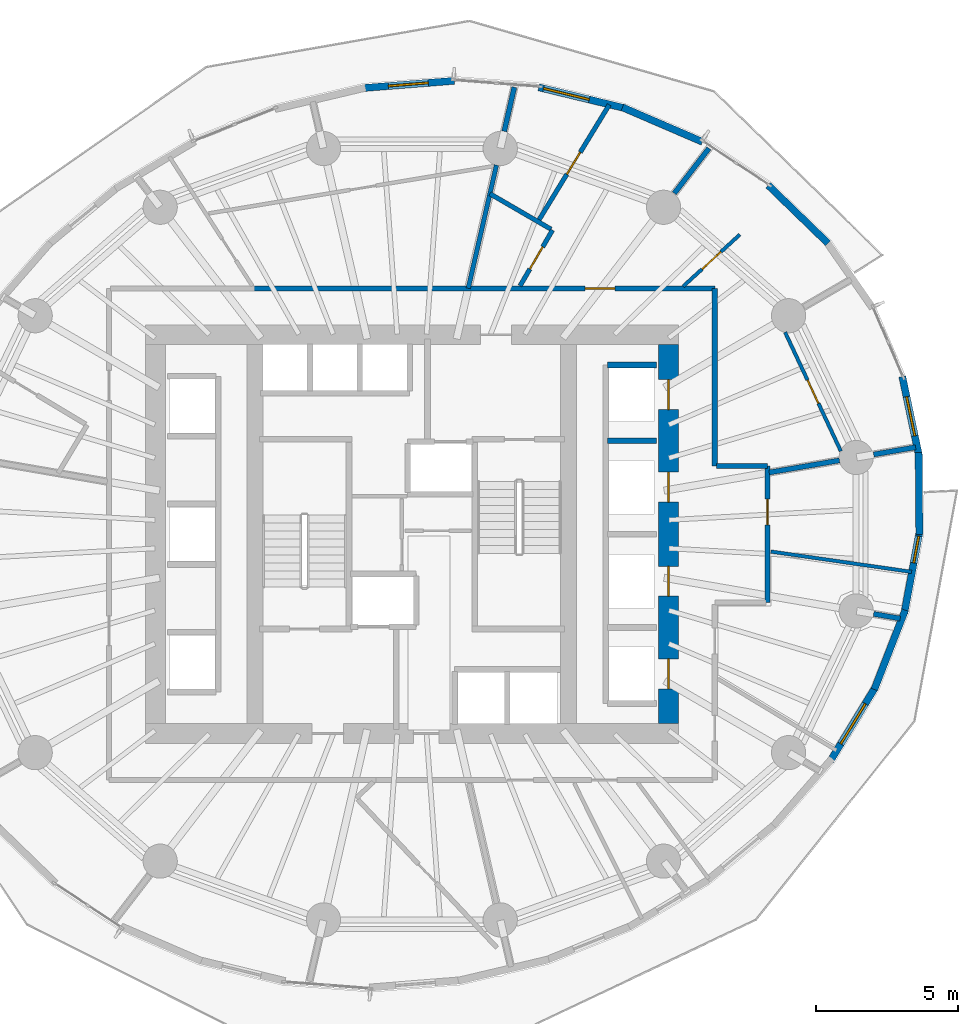
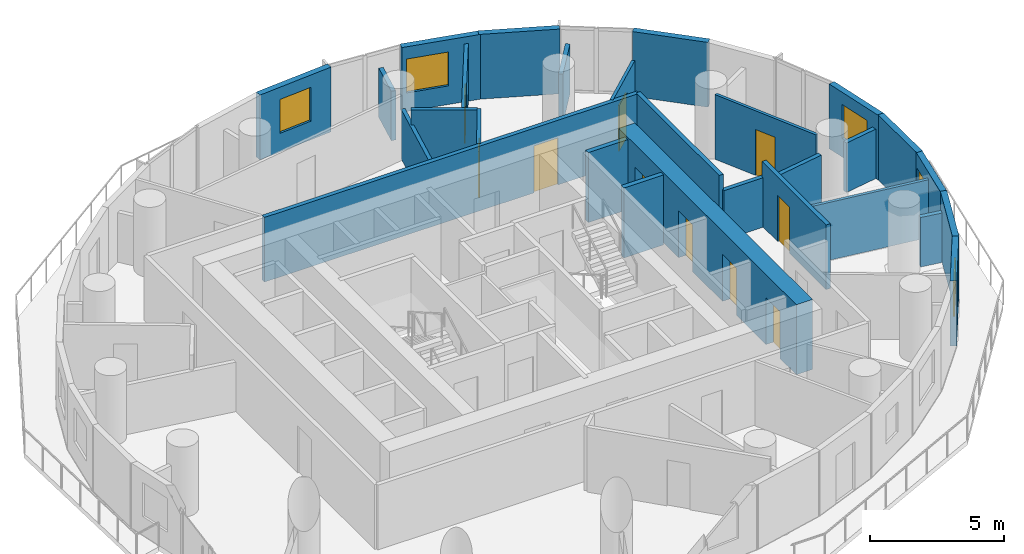
# One storey, part 9 of 14: 28 walls, 10 doors, 5 windows, 15 openings.
"""IFC4 building model written with IfcOpenShell, lengths in metres."""

from ifc_helpers import new_model, si_unit, direction, frame, frame_2d, origin, place, context, subcontext, project, spatial, rectangle, extrude, material, layer, layer_set, type_object, element, fill, save


model = new_model("IFC4")

# Units and contexts
model_context = context("Model", 3, precision=1e-05, world=origin(), true_north=direction((0.0, 1.0)))
body_context = subcontext(model_context, "Body", "Model", "MODEL_VIEW")
ifc_project = project(units=[si_unit("LENGTHUNIT", "METRE"), si_unit("AREAUNIT", "SQUARE_METRE"), si_unit("VOLUMEUNIT", "CUBIC_METRE"), si_unit("PLANEANGLEUNIT", "RADIAN"), si_unit("MASSUNIT", "GRAM", prefix="KILO")], contexts=[model_context])

# Site, building, storey
site_placement = place(None, origin())
site = spatial("IfcSite", under=ifc_project, at=site_placement, CompositionType="ELEMENT")
building_placement = place(site_placement, origin())
building = spatial("IfcBuilding", under=site, at=building_placement, Name="Veldorim Arch Residences", CompositionType="ELEMENT")
storey_placement = place(building_placement, frame((0.0, 0.0, 77.280029296875)))
storey = spatial("IfcBuildingStorey", under=building, at=storey_placement, Name="L22", CompositionType="ELEMENT", Elevation=77.280029296875)

# Wall
ifc_material_1 = material(Name="Acoustic Gypsum Board", Category="gypsum")
ifc_layer_1 = layer(ifc_material_1, 0.125, Name="Acoustic Stud Room Partition Wall 125")
ifc_layer_set_1 = layer_set([ifc_layer_1], Name="Acoustic Gypsum Board")
wall_type_1 = type_object("IfcWallType", Name="Acoustic Stud Room Partition Wall 125", PredefinedType="PARTITIONING", material=ifc_layer_set_1)
wall_1_placement = place(storey_placement, frame((49.53955078125, 22.676513671875, 0.0), z_axis=(0.0, 0.0, 1.0), x_axis=(-0.989708433574, 0.143098625124, 0.0)))
element("IfcWall", 1, at=wall_1_placement, inside=storey, type_object=wall_type_1, Name="L22 interior wall WL-RES-L22-011", PredefinedType="PARTITIONING", context=body_context, shape_type="SweptSolid", body=[
    extrude(rectangle(XDim=4.991943359375, YDim=0.125, at=frame_2d((2.49609375, 0.0))), origin(), (0.0, 0.0, 1.0), 2.641357421875),
])

# Wall, opening, door
wall_2_placement = place(storey_placement, frame((43.510986328125, 34.51611328125, 0.0), z_axis=(0.0, 0.0, 1.0), x_axis=(-0.738303163636, -0.674469004896, 0.0)))
wall_2 = element("IfcWall", 2, at=wall_2_placement, inside=storey, type_object=wall_type_1, Name="L22 interior wall WL-RES-L22-018", PredefinedType="PARTITIONING", context=body_context, shape_type="SweptSolid", body=[
    extrude(rectangle(XDim=2.6962890625, YDim=0.125, at=frame_2d((1.34814453125, 0.0))), origin(), (0.0, 0.0, 1.0), 2.955078125),
])
opening_1_placement = place(wall_2_placement, frame((0.898193359375, 0.0, 0.0)))
opening_1 = element("IfcOpeningElement", 3, at=opening_1_placement, cuts=wall_2, Name="Opening DR-INT", PredefinedType="OPENING", context=body_context, shape_type="SweptSolid", body=[
    extrude(rectangle(XDim=0.89990234375, YDim=2.10009765625, at=frame_2d((0.449951171875, 1.050048828125))), frame((0.0, 0.072509765625, 0.0), z_axis=(0.0, -1.0, 0.0), x_axis=(1.0, 0.0, 0.0)), (0.0, 0.0, 1.0), 0.14501953125),
])
ifc_material_2 = material(Name="Engineered Timber", Category="wood")
door_type_1 = type_object("IfcDoorType", Name="Apartment Internal Room Timber Door 900x2100", OperationType="SINGLE_SWING_LEFT", PredefinedType="DOOR", material=ifc_material_2)
door_1_placement = place(opening_1_placement, origin())
door_1 = element("IfcDoor", 4, at=door_1_placement, inside=storey, type_object=door_type_1, Name="L22 interior door DR-RES-L22-008", OperationType="SINGLE_SWING_RIGHT", OverallHeight=2.10009765625, OverallWidth=0.89990234375, PredefinedType="DOOR", context=body_context, shape_type="SweptSolid", body=[
    extrude(rectangle(XDim=0.89990234375, YDim=2.10009765625, at=frame_2d((0.449951171875, 1.050048828125))), frame((0.0, 0.02490234375, 0.0), z_axis=(0.0, -1.0, 0.0), x_axis=(1.0, 0.0, 0.0)), (0.0, 0.0, 1.0), 0.050048828125),
])
fill(opening_1, door_1)

wall_3_placement = place(storey_placement, frame((45.09814453125, 31.08740234375, 0.0), z_axis=(0.0, 0.0, 1.0), x_axis=(0.424725570062, -0.905322147158, 0.0)))
wall_3 = element("IfcWall", 5, at=wall_3_placement, inside=storey, type_object=wall_type_1, Name="L22 interior wall WL-RES-L22-022", PredefinedType="PARTITIONING", context=body_context, shape_type="SweptSolid", body=[
    extrude(rectangle(XDim=4.610107421875, YDim=0.125, at=frame_2d((2.30517578125, 0.0))), origin(), (0.0, 0.0, 1.0), 2.955078125),
])
opening_2_placement = place(wall_3_placement, frame((1.85498046875, 0.0, 0.0)))
opening_2 = element("IfcOpeningElement", 6, at=opening_2_placement, cuts=wall_3, Name="Opening DR-INT", PredefinedType="OPENING", context=body_context, shape_type="SweptSolid", body=[
    extrude(rectangle(XDim=0.89990234375, YDim=2.10009765625, at=frame_2d((0.449951171875, 1.050048828125))), frame((0.0, 0.072509765625, 0.0), z_axis=(0.0, -1.0, 0.0), x_axis=(1.0, 0.0, 0.0)), (0.0, 0.0, 1.0), 0.14501953125),
])
door_2_placement = place(opening_2_placement, origin())
door_2 = element("IfcDoor", 7, at=door_2_placement, inside=storey, type_object=door_type_1, Name="L22 interior door DR-RES-L22-009", OperationType="SINGLE_SWING_LEFT", OverallHeight=2.10009765625, OverallWidth=0.89990234375, PredefinedType="DOOR", context=body_context, shape_type="SweptSolid", body=[
    extrude(rectangle(XDim=0.89990234375, YDim=2.10009765625, at=frame_2d((0.449951171875, 1.050048828125))), frame((0.0, 0.02490234375, 0.0), z_axis=(0.0, -1.0, 0.0), x_axis=(1.0, 0.0, 0.0)), (0.0, 0.0, 1.0), 0.050048828125),
])
fill(opening_2, door_2)

# Walls
ifc_material_3 = material(Name="Lightweight Masonry Block & Gypsum", Category="masonry")
ifc_layer_2 = layer(ifc_material_3, 0.179931640625, Name="Compartment & Corridor Fire-Rated Party Wall 180")
ifc_layer_set_2 = layer_set([ifc_layer_2], Name="Lightweight Masonry Block & Gypsum")
wall_type_2 = type_object("IfcWallType", Name="Compartment & Corridor Fire-Rated Party Wall 180", PredefinedType="PARTITIONING", material=ifc_layer_set_2)
wall_4_placement = place(storey_placement, frame((48.20556640625, 26.797607421875, 0.0), z_axis=(0.0, 0.0, 1.0), x_axis=(0.985414821555, 0.170169413997, 0.0)))
element("IfcWall", 8, at=wall_4_placement, inside=storey, type_object=wall_type_2, Name="L22 interior wall WL-PIER-L22-01", PredefinedType="PARTITIONING", context=body_context, shape_type="SweptSolid", body=[
    extrude(rectangle(XDim=1.494873046875, YDim=0.179931640625, at=frame_2d((0.74755859375, 0.0))), origin(), (0.0, 0.0, 1.0), 2.26025390625),
])
wall_5_placement = place(storey_placement, frame((41.2119140625, 35.965576171875, 0.0), z_axis=(0.0, 0.0, 1.0), x_axis=(0.609995088008, 0.792405194712, 0.0)))
element("IfcWall", 9, at=wall_5_placement, inside=storey, type_object=wall_type_2, Name="L22 interior wall WL-PIER-L22-03", PredefinedType="PARTITIONING", context=body_context, shape_type="SweptSolid", body=[
    extrude(rectangle(XDim=1.991455078125, YDim=0.179931640625, at=frame_2d((0.99560546875, 0.0))), origin(), (0.0, 0.0, 1.0), 2.26025390625),
])
wall_6_placement = place(storey_placement, frame((35.240478515625, 38.13916015625, 0.0), z_axis=(0.0, 0.0, 1.0), x_axis=(0.223333591652, 0.974742071955, 0.0)))
element("IfcWall", 10, at=wall_6_placement, inside=storey, type_object=wall_type_2, Name="L22 interior wall WL-PIER-L22-04", PredefinedType="PARTITIONING", context=body_context, shape_type="SweptSolid", body=[
    extrude(rectangle(XDim=1.58935546875, YDim=0.179931640625, at=frame_2d((0.794677734375, 0.0))), origin(), (0.0, 0.0, 1.0), 2.26025390625),
])
wall_7_placement = place(storey_placement, frame((48.20556640625, 21.202392578125, 0.0), z_axis=(0.0, 0.0, 1.0), x_axis=(0.985396187556, -0.170277284302, 0.0)))
element("IfcWall", 11, at=wall_7_placement, inside=storey, type_object=wall_type_2, Name="L22 interior wall WL-PIER-L22-16", PredefinedType="PARTITIONING", context=body_context, shape_type="SweptSolid", body=[
    extrude(rectangle(XDim=0.94921875, YDim=0.179931640625, at=frame_2d((0.474609375, 0.0))), origin(), (0.0, 0.0, 1.0), 2.26025390625),
])

# Wall, opening, door
wall_8_placement = place(storey_placement, frame((44.47998046875, 26.39990234375, 0.0), z_axis=(0.0, 0.0, 1.0), x_axis=(0.0, -1.0, 0.0)))
wall_8 = element("IfcWall", 12, at=wall_8_placement, inside=storey, type_object=wall_type_2, Name="L22 interior wall WL-RES-L22-001", PredefinedType="PARTITIONING", context=body_context, shape_type="SweptSolid", body=[
    extrude(rectangle(XDim=4.7998046875, YDim=0.179931640625, at=frame_2d((2.39990234375, 0.0))), origin(), (0.0, 0.0, 1.0), 2.955078125),
])
opening_3_placement = place(wall_8_placement, frame((1.168701171875, 0.0, 0.0)))
opening_3 = element("IfcOpeningElement", 13, at=opening_3_placement, cuts=wall_8, Name="Opening DR-SVC", PredefinedType="OPENING", context=body_context, shape_type="SweptSolid", body=[
    extrude(rectangle(XDim=0.89990234375, YDim=2.10009765625, at=frame_2d((0.449951171875, 1.050048828125))), frame((0.0, 0.099853515625, 0.0), z_axis=(0.0, -1.0, 0.0), x_axis=(1.0, 0.0, 0.0)), (0.0, 0.0, 1.0), 0.199951171875),
])
ifc_material_4 = material(Name="Fire-Rated Steel", Category="steel")
door_type_2 = type_object("IfcDoorType", Name="Riser, Shelter & Plant Room Rated Steel Door 900x2100", OperationType="SINGLE_SWING_LEFT", PredefinedType="DOOR", material=ifc_material_4)
door_3_placement = place(opening_3_placement, origin())
door_3 = element("IfcDoor", 14, at=door_3_placement, inside=storey, type_object=door_type_2, Name="L22 interior door DR-RES-L22-001", OperationType="SINGLE_SWING_LEFT", OverallHeight=2.10009765625, OverallWidth=0.89990234375, PredefinedType="DOOR", context=body_context, shape_type="SweptSolid", body=[
    extrude(rectangle(XDim=0.89990234375, YDim=2.10009765625, at=frame_2d((0.449951171875, 1.050048828125))), frame((0.0, 0.02490234375, 0.0), z_axis=(0.0, -1.0, 0.0), x_axis=(1.0, 0.0, 0.0)), (0.0, 0.0, 1.0), 0.050048828125),
])
fill(opening_3, door_3)

wall_9_placement = place(storey_placement, frame((26.43115234375, 32.6298828125, 0.0), z_axis=(0.0, 0.0, 1.0), x_axis=(1.0, 0.0, 0.0)))
wall_9 = element("IfcWall", 15, at=wall_9_placement, inside=storey, type_object=wall_type_2, Name="L22 interior wall WL-RES-L22-005", PredefinedType="PARTITIONING", context=body_context, shape_type="SweptSolid", body=[
    extrude(rectangle(XDim=16.19873046875, YDim=0.179931640625, at=frame_2d((8.099365234375, 0.0))), origin(), (0.0, 0.0, 1.0), 2.955078125),
])
opening_4_placement = place(wall_9_placement, frame((11.645263671875, 0.0, 0.0)))
opening_4 = element("IfcOpeningElement", 16, at=opening_4_placement, cuts=wall_9, Name="Opening DR-FLT", PredefinedType="OPENING", context=body_context, shape_type="SweptSolid", body=[
    extrude(rectangle(XDim=1.050048828125, YDim=2.14990234375, at=frame_2d((0.52490234375, 1.074951171875))), frame((0.0, 0.099853515625, 0.0), z_axis=(0.0, -1.0, 0.0), x_axis=(1.0, 0.0, 0.0)), (0.0, 0.0, 1.0), 0.199951171875),
])
ifc_material_5 = material(Name="Fire-Rated Timber", Category="wood")
door_type_3 = type_object("IfcDoorType", Name="Apartment Entrance Solid-Core Fire Door 1050x2150", OperationType="SINGLE_SWING_LEFT", PredefinedType="DOOR", material=ifc_material_5)
door_4_placement = place(opening_4_placement, origin())
door_4 = element("IfcDoor", 17, at=door_4_placement, inside=storey, type_object=door_type_3, Name="L22 interior door DR-RES-L22-006", OperationType="SINGLE_SWING_RIGHT", OverallHeight=2.14990234375, OverallWidth=1.050048828125, PredefinedType="DOOR", context=body_context, shape_type="SweptSolid", body=[
    extrude(rectangle(XDim=1.050048828125, YDim=2.14990234375, at=frame_2d((0.52490234375, 1.074951171875))), frame((0.0, 0.02490234375, 0.0), z_axis=(0.0, -1.0, 0.0), x_axis=(1.0, 0.0, 0.0)), (0.0, 0.0, 1.0), 0.050048828125),
])
fill(opening_4, door_4)

# Walls
wall_10_placement = place(storey_placement, frame((42.6298828125, 32.6298828125, 0.0), z_axis=(0.0, 0.0, 1.0), x_axis=(0.0, -1.0, 0.0)))
element("IfcWall", 18, at=wall_10_placement, inside=storey, type_object=wall_type_2, Name="L22 interior wall WL-RES-L22-006", PredefinedType="PARTITIONING", context=body_context, shape_type="SweptSolid", body=[
    extrude(rectangle(XDim=6.22998046875, YDim=0.179931640625, at=frame_2d((3.114990234375, 0.0))), origin(), (0.0, 0.0, 1.0), 2.955078125),
])
wall_11_placement = place(storey_placement, frame((42.68994140625, 26.39990234375, 0.0), z_axis=(0.0, 0.0, 1.0), x_axis=(1.0, 0.0, 0.0)))
element("IfcWall", 19, at=wall_11_placement, inside=storey, type_object=wall_type_2, Name="L22 interior wall WL-RES-L22-007", PredefinedType="PARTITIONING", context=body_context, shape_type="SweptSolid", body=[
    extrude(rectangle(XDim=1.7900390625, YDim=0.179931640625, at=frame_2d((0.89501953125, 0.0))), origin(), (0.0, 0.0, 1.0), 2.26025390625),
])
wall_12_placement = place(storey_placement, frame((44.5390625, 26.164794921875, 0.0), z_axis=(0.0, 0.0, 1.0), x_axis=(0.985420684403, 0.170135460006, 0.0)))
element("IfcWall", 20, at=wall_12_placement, inside=storey, type_object=wall_type_2, Name="L22 interior wall WL-RES-L22-012", PredefinedType="PARTITIONING", context=body_context, shape_type="SweptSolid", body=[
    extrude(rectangle(XDim=2.504150390625, YDim=0.179931640625, at=frame_2d((1.251953125, 0.0))), origin(), (0.0, 0.0, 1.0), 2.26025390625),
])
ifc_material_6 = material(Name="Concrete C50/60", Category="concrete")
ifc_layer_3 = layer(ifc_material_6, 0.199951171875, Name="Core Stair & Lift Shaft Enclosure Wall 200")
ifc_layer_set_3 = layer_set([ifc_layer_3], Name="Concrete C50/60")
wall_type_3 = type_object("IfcWallType", Name="Core Stair & Lift Shaft Enclosure Wall 200", PredefinedType="SHEAR", material=ifc_layer_set_3)
for number, where, z_axis, x_axis, name in (
    (21, (38.8701171875, 29.93994140625, 0.0), (0.0, 0.0, 1.0), (1.0, 0.0, 0.0), "L22 shaft wall WL-B1-L22-N"),
    (22, (38.8701171875, 27.27490234375, 0.0), (0.0, 0.0, 1.0), (1.0, 0.0, 0.0), "L22 shaft wall WL-B1-L22-D3"),
):
    element("IfcWall", number, at=place(storey_placement, frame(where, z_axis=z_axis, x_axis=x_axis)), inside=storey, type_object=wall_type_3, Name=name, PredefinedType="SHEAR", context=body_context, shape_type="SweptSolid", body=[
        extrude(rectangle(XDim=1.7099609375, YDim=0.199951171875, at=frame_2d((0.85498046875, 0.0))), origin(), (0.0, 0.0, 1.0), 3.199951171875),
    ])

# Wall, openings, doors
ifc_material_7 = material(Name="Concrete C60/75", Category="concrete")
ifc_layer_4 = layer(ifc_material_7, 0.699951171875, Name="Mid-Lower Central Core Shear Wall 700")
ifc_layer_set_4 = layer_set([ifc_layer_4], Name="Concrete C60/75")
wall_type_4 = type_object("IfcWallType", Name="Mid-Lower Central Core Shear Wall 700", PredefinedType="SHEAR", material=ifc_layer_set_4)
wall_13_placement = place(storey_placement, frame((41.0, 17.35009765625, 0.0), z_axis=(0.0, 0.0, 1.0), x_axis=(0.0, 1.0, 0.0)))
wall_13 = element("IfcWall", 23, at=wall_13_placement, inside=storey, type_object=wall_type_4, Name="L22 central core east shear wall", PredefinedType="SHEAR", context=body_context, shape_type="SweptSolid", body=[
    extrude(rectangle(XDim=13.2998046875, YDim=0.699951171875, at=frame_2d((6.64990234375, 0.0))), origin(), (0.0, 0.0, 1.0), 3.199951171875),
])
opening_5_placement = place(wall_13_placement, frame((1.22509765625, 0.0, 0.0)))
opening_5 = element("IfcOpeningElement", 24, at=opening_5_placement, cuts=wall_13, Name="Opening LD-PS", PredefinedType="OPENING", context=body_context, shape_type="SweptSolid", body=[
    extrude(rectangle(XDim=1.050048828125, YDim=2.14990234375, at=frame_2d((0.52490234375, 1.074951171875))), frame((0.0, 0.35986328125, 0.0), z_axis=(0.0, -1.0, 0.0), x_axis=(1.0, 0.0, 0.0)), (0.0, 0.0, 1.0), 0.719970703125),
])
opening_6_placement = place(wall_13_placement, frame((4.47509765625, 0.0, 0.0)))
opening_6 = element("IfcOpeningElement", 25, at=opening_6_placement, cuts=wall_13, Name="Opening LD-PS", PredefinedType="OPENING", context=body_context, shape_type="SweptSolid", body=[
    extrude(rectangle(XDim=1.050048828125, YDim=2.14990234375, at=frame_2d((0.52490234375, 1.074951171875))), frame((0.0, 0.35986328125, 0.0), z_axis=(0.0, -1.0, 0.0), x_axis=(1.0, 0.0, 0.0)), (0.0, 0.0, 1.0), 0.719970703125),
])
opening_7_placement = place(wall_13_placement, frame((7.77490234375, 0.0, 0.0)))
opening_7 = element("IfcOpeningElement", 26, at=opening_7_placement, cuts=wall_13, Name="Opening LD-PS", PredefinedType="OPENING", context=body_context, shape_type="SweptSolid", body=[
    extrude(rectangle(XDim=1.050048828125, YDim=2.14990234375, at=frame_2d((0.52490234375, 1.074951171875))), frame((0.0, 0.35986328125, 0.0), z_axis=(0.0, -1.0, 0.0), x_axis=(1.0, 0.0, 0.0)), (0.0, 0.0, 1.0), 0.719970703125),
])
opening_8_placement = place(wall_13_placement, frame((11.02490234375, 0.0, 0.0)))
opening_8 = element("IfcOpeningElement", 27, at=opening_8_placement, cuts=wall_13, Name="Opening LD-PS", PredefinedType="OPENING", context=body_context, shape_type="SweptSolid", body=[
    extrude(rectangle(XDim=1.050048828125, YDim=2.14990234375, at=frame_2d((0.52490234375, 1.074951171875))), frame((0.0, 0.35986328125, 0.0), z_axis=(0.0, -1.0, 0.0), x_axis=(1.0, 0.0, 0.0)), (0.0, 0.0, 1.0), 0.719970703125),
])
ifc_material_8 = material(Name="Stainless Steel", Category="steel")
door_type_4 = type_object("IfcDoorType", Name="Passenger Lift Bi-Parting Sliding Landing Door 1050x2150", OperationType="DOUBLE_DOOR_SLIDING", PredefinedType="DOOR", material=ifc_material_8)
door_5_placement = place(opening_5_placement, origin())
door_5 = element("IfcDoor", 28, at=door_5_placement, inside=storey, type_object=door_type_4, Name="L22 lift landing door LD-L22-PL-01", OperationType="DOUBLE_DOOR_SLIDING", OverallHeight=2.14990234375, OverallWidth=1.050048828125, PredefinedType="DOOR", context=body_context, shape_type="SweptSolid", body=[
    extrude(rectangle(XDim=1.050048828125, YDim=2.14990234375, at=frame_2d((0.52490234375, 1.074951171875))), frame((0.0, 0.02490234375, 0.0), z_axis=(0.0, -1.0, 0.0), x_axis=(1.0, 0.0, 0.0)), (0.0, 0.0, 1.0), 0.050048828125),
])
fill(opening_5, door_5)
door_6_placement = place(opening_6_placement, origin())
door_6 = element("IfcDoor", 29, at=door_6_placement, inside=storey, type_object=door_type_4, Name="L22 lift landing door LD-L22-PL-02", OperationType="DOUBLE_DOOR_SLIDING", OverallHeight=2.14990234375, OverallWidth=1.050048828125, PredefinedType="DOOR", context=body_context, shape_type="SweptSolid", body=[
    extrude(rectangle(XDim=1.050048828125, YDim=2.14990234375, at=frame_2d((0.52490234375, 1.074951171875))), frame((0.0, 0.02490234375, 0.0), z_axis=(0.0, -1.0, 0.0), x_axis=(1.0, 0.0, 0.0)), (0.0, 0.0, 1.0), 0.050048828125),
])
fill(opening_6, door_6)
door_7_placement = place(opening_7_placement, origin())
door_7 = element("IfcDoor", 30, at=door_7_placement, inside=storey, type_object=door_type_4, Name="L22 lift landing door LD-L22-PL-03", OperationType="DOUBLE_DOOR_SLIDING", OverallHeight=2.14990234375, OverallWidth=1.050048828125, PredefinedType="DOOR", context=body_context, shape_type="SweptSolid", body=[
    extrude(rectangle(XDim=1.050048828125, YDim=2.14990234375, at=frame_2d((0.52490234375, 1.074951171875))), frame((0.0, 0.02490234375, 0.0), z_axis=(0.0, -1.0, 0.0), x_axis=(1.0, 0.0, 0.0)), (0.0, 0.0, 1.0), 0.050048828125),
])
fill(opening_7, door_7)
door_8_placement = place(opening_8_placement, origin())
door_8 = element("IfcDoor", 31, at=door_8_placement, inside=storey, type_object=door_type_4, Name="L22 lift landing door LD-L22-PL-04", OperationType="DOUBLE_DOOR_SLIDING", OverallHeight=2.14990234375, OverallWidth=1.050048828125, PredefinedType="DOOR", context=body_context, shape_type="SweptSolid", body=[
    extrude(rectangle(XDim=1.050048828125, YDim=2.14990234375, at=frame_2d((0.52490234375, 1.074951171875))), frame((0.0, 0.02490234375, 0.0), z_axis=(0.0, -1.0, 0.0), x_axis=(1.0, 0.0, 0.0)), (0.0, 0.0, 1.0), 0.050048828125),
])
fill(opening_8, door_8)

# Walls
ifc_material_9 = material(Name="Precast concrete C40/50", Category="concrete")
ifc_layer_5 = layer(ifc_material_9, 0.25, Name="Tower Terracotta Spandrel & Pier Wall 250")
ifc_layer_set_5 = layer_set([ifc_layer_5], Name="Precast concrete C40/50")
wall_type_5 = type_object("IfcWallType", Name="Tower Terracotta Spandrel & Pier Wall 250", PredefinedType="SOLIDWALL", material=ifc_layer_set_5)
wall_14_placement = place(storey_placement, frame((44.50732421875, 36.24658203125, 0.0), z_axis=(0.0, 0.0, 1.0), x_axis=(0.717880157086, -0.696166704219, 0.0)))
element("IfcWall", 32, at=wall_14_placement, inside=storey, type_object=wall_type_5, Name="L22 terracotta facade wall 03", PredefinedType="SOLIDWALL", context=body_context, shape_type="SweptSolid", body=[
    extrude(rectangle(XDim=2.92333984375, YDim=0.25, at=frame_2d((1.461669921875, 0.0))), origin(), (0.0, 0.0, 1.0), 2.9599609375),
])
wall_15_placement = place(storey_placement, frame((39.39013671875, 38.982421875, 0.0), z_axis=(0.0, 0.0, 1.0), x_axis=(0.91829708806, -0.395891977766, 0.0)))
element("IfcWall", 33, at=wall_15_placement, inside=storey, type_object=wall_type_5, Name="L22 terracotta facade wall 05", PredefinedType="SOLIDWALL", context=body_context, shape_type="SweptSolid", body=[
    extrude(rectangle(XDim=3.060546875, YDim=0.25, at=frame_2d((1.5302734375, 0.0))), origin(), (0.0, 0.0, 1.0), 2.9599609375),
])

# Wall, opening, window
wall_16_placement = place(storey_placement, frame((36.452392578125, 39.6865234375, 0.0), z_axis=(0.0, 0.0, 1.0), x_axis=(0.971748850292, -0.236017312833, 0.0)))
wall_16 = element("IfcWall", 34, at=wall_16_placement, inside=storey, type_object=wall_type_5, Name="L22 terracotta facade wall 06", PredefinedType="SOLIDWALL", context=body_context, shape_type="SweptSolid", body=[
    extrude(rectangle(XDim=3.131103515625, YDim=0.25, at=frame_2d((1.5654296875, 0.0))), origin(), (0.0, 0.0, 1.0), 2.9599609375),
])
opening_9_placement = place(wall_16_placement, frame((0.175048828125, 0.0, 0.85009765625)))
opening_9 = element("IfcOpeningElement", 35, at=opening_9_placement, cuts=wall_16, Name="Opening WN-03", PredefinedType="OPENING", context=body_context, shape_type="SweptSolid", body=[
    extrude(rectangle(XDim=1.64990234375, YDim=1.550048828125, at=frame_2d((0.824951171875, 0.77490234375))), frame((0.0, 0.135009765625, 0.0), z_axis=(0.0, -1.0, 0.0), x_axis=(1.0, 0.0, 0.0)), (0.0, 0.0, 1.0), 0.27001953125),
])
ifc_material_10 = material(Name="Laminated Low-E Glass", Category="glass")
window_type_1 = type_object("IfcWindowType", Name="Residential Wide Window 1650x1550", PartitioningType="SINGLE_PANEL", PredefinedType="WINDOW", material=ifc_material_10)
window_1_placement = place(opening_9_placement, origin())
window_1 = element("IfcWindow", 36, at=window_1_placement, inside=storey, type_object=window_type_1, Name="L22 solar-control facade window 06", OverallHeight=1.550048828125, OverallWidth=1.64990234375, PartitioningType="SINGLE_PANEL", PredefinedType="WINDOW", context=body_context, shape_type="SweptSolid", body=[
    extrude(rectangle(XDim=1.64990234375, YDim=1.550048828125, at=frame_2d((0.824951171875, 0.77490234375))), frame((0.0, 0.030029296875, 0.0), z_axis=(0.0, -1.0, 0.0), x_axis=(1.0, 0.0, 0.0)), (0.0, 0.0, 1.0), 0.06005859375),
])
fill(opening_9, window_1)

wall_17_placement = place(storey_placement, frame((30.26171875, 39.65771484375, 0.0), z_axis=(0.0, 0.0, 1.0), x_axis=(0.996851873062, 0.079286462736, 0.0)))
wall_17 = element("IfcWall", 37, at=wall_17_placement, inside=storey, type_object=wall_type_5, Name="L22 terracotta facade wall 08", PredefinedType="SOLIDWALL", context=body_context, shape_type="SweptSolid", body=[
    extrude(rectangle(XDim=3.236328125, YDim=0.25, at=frame_2d((1.6181640625, 0.0))), origin(), (0.0, 0.0, 1.0), 2.9599609375),
])
opening_10_placement = place(wall_17_placement, frame((0.91796875, 0.0, 0.85009765625)))
opening_10 = element("IfcOpeningElement", 38, at=opening_10_placement, cuts=wall_17, Name="Opening WN-02", PredefinedType="OPENING", context=body_context, shape_type="SweptSolid", body=[
    extrude(rectangle(XDim=1.39990234375, YDim=1.550048828125, at=frame_2d((0.699951171875, 0.77490234375))), frame((0.0, 0.135009765625, 0.0), z_axis=(0.0, -1.0, 0.0), x_axis=(1.0, 0.0, 0.0)), (0.0, 0.0, 1.0), 0.27001953125),
])
ifc_material_11 = material(Name="Laminated Low-E Glass", Category="glass")
window_type_2 = type_object("IfcWindowType", Name="Residential Casement Window 1400x1550", PartitioningType="SINGLE_PANEL", PredefinedType="WINDOW", material=ifc_material_11)
window_2_placement = place(opening_10_placement, origin())
window_2 = element("IfcWindow", 39, at=window_2_placement, inside=storey, type_object=window_type_2, Name="L22 solar-control facade window 08", OverallHeight=1.550048828125, OverallWidth=1.39990234375, PartitioningType="SINGLE_PANEL", PredefinedType="WINDOW", context=body_context, shape_type="SweptSolid", body=[
    extrude(rectangle(XDim=1.39990234375, YDim=1.550048828125, at=frame_2d((0.699951171875, 0.77490234375))), frame((0.0, 0.030029296875, 0.0), z_axis=(0.0, -1.0, 0.0), x_axis=(1.0, 0.0, 0.0)), (0.0, 0.0, 1.0), 0.06005859375),
])
fill(opening_10, window_2)

wall_18_placement = place(storey_placement, frame((48.28076171875, 18.64990234375, 0.0), z_axis=(0.0, 0.0, 1.0), x_axis=(-0.520956264952, -0.853583370273, 0.0)))
wall_18 = element("IfcWall", 40, at=wall_18_placement, inside=storey, type_object=wall_type_5, Name="L22 terracotta facade wall 32", PredefinedType="SOLIDWALL", context=body_context, shape_type="SweptSolid", body=[
    extrude(rectangle(XDim=3.060791015625, YDim=0.25, at=frame_2d((1.5302734375, 0.0))), origin(), (0.0, 0.0, 1.0), 2.9599609375),
])
opening_11_placement = place(wall_18_placement, frame((0.705078125, 0.0, 0.85009765625)))
opening_11 = element("IfcOpeningElement", 41, at=opening_11_placement, cuts=wall_18, Name="Opening WN-03", PredefinedType="OPENING", context=body_context, shape_type="SweptSolid", body=[
    extrude(rectangle(XDim=1.64990234375, YDim=1.550048828125, at=frame_2d((0.824951171875, 0.77490234375))), frame((0.0, 0.135009765625, 0.0), z_axis=(0.0, -1.0, 0.0), x_axis=(1.0, 0.0, 0.0)), (0.0, 0.0, 1.0), 0.27001953125),
])
window_3_placement = place(opening_11_placement, origin())
window_3 = element("IfcWindow", 42, at=window_3_placement, inside=storey, type_object=window_type_1, Name="L22 solar-control facade window 32", OverallHeight=1.550048828125, OverallWidth=1.64990234375, PartitioningType="SINGLE_PANEL", PredefinedType="WINDOW", context=body_context, shape_type="SweptSolid", body=[
    extrude(rectangle(XDim=1.64990234375, YDim=1.550048828125, at=frame_2d((0.824951171875, 0.77490234375))), frame((0.0, 0.030029296875, 0.0), z_axis=(0.0, -1.0, 0.0), x_axis=(1.0, 0.0, 0.0)), (0.0, 0.0, 1.0), 0.06005859375),
])
fill(opening_11, window_3)

# Wall
wall_19_placement = place(storey_placement, frame((49.314208984375, 21.3349609375, 0.0), z_axis=(0.0, 0.0, 1.0), x_axis=(-0.362414720493, -0.93201693674, 0.0)))
element("IfcWall", 43, at=wall_19_placement, inside=storey, type_object=wall_type_5, Name="L22 terracotta facade wall 33", PredefinedType="SOLIDWALL", context=body_context, shape_type="SweptSolid", body=[
    extrude(rectangle(XDim=2.98828125, YDim=0.25, at=frame_2d((1.494140625, 0.0))), origin(), (0.0, 0.0, 1.0), 2.9599609375),
])

# Wall, opening, window
wall_20_placement = place(storey_placement, frame((49.8212890625, 24.10009765625, 0.0), z_axis=(0.0, 0.0, 1.0), x_axis=(-0.183975908968, -0.982930752861, 0.0)))
wall_20 = element("IfcWall", 44, at=wall_20_placement, inside=storey, type_object=wall_type_5, Name="L22 terracotta facade wall 34", PredefinedType="SOLIDWALL", context=body_context, shape_type="SweptSolid", body=[
    extrude(rectangle(XDim=2.92333984375, YDim=0.25, at=frame_2d((1.461669921875, 0.0))), origin(), (0.0, 0.0, 1.0), 2.9599609375),
])
opening_12_placement = place(wall_20_placement, frame((0.175048828125, 0.0, 0.85009765625)))
opening_12 = element("IfcOpeningElement", 45, at=opening_12_placement, cuts=wall_20, Name="Opening WN-05", PredefinedType="OPENING", context=body_context, shape_type="SweptSolid", body=[
    extrude(rectangle(XDim=0.949951171875, YDim=1.449951171875, at=frame_2d((0.47509765625, 0.72509765625))), frame((0.0, 0.135009765625, 0.0), z_axis=(0.0, -1.0, 0.0), x_axis=(1.0, 0.0, 0.0)), (0.0, 0.0, 1.0), 0.27001953125),
])
ifc_material_12 = material(Name="Laminated Low-E Glass", Category="glass")
window_type_3 = type_object("IfcWindowType", Name="Residential Compact Casement Window 950x1450", PartitioningType="SINGLE_PANEL", PredefinedType="WINDOW", material=ifc_material_12)
window_4_placement = place(opening_12_placement, origin())
window_4 = element("IfcWindow", 46, at=window_4_placement, inside=storey, type_object=window_type_3, Name="L22 solar-control facade window 34", OverallHeight=1.449951171875, OverallWidth=0.949951171875, PartitioningType="SINGLE_PANEL", PredefinedType="WINDOW", context=body_context, shape_type="SweptSolid", body=[
    extrude(rectangle(XDim=0.949951171875, YDim=1.449951171875, at=frame_2d((0.47509765625, 0.72509765625))), frame((0.0, 0.030029296875, 0.0), z_axis=(0.0, -1.0, 0.0), x_axis=(1.0, 0.0, 0.0)), (0.0, 0.0, 1.0), 0.06005859375),
])
fill(opening_12, window_4)

# Wall
wall_21_placement = place(storey_placement, frame((49.78662109375, 26.860595703125, 0.0), z_axis=(0.0, 0.0, 1.0), x_axis=(0.008580093639, -0.999963190319, 0.0)))
element("IfcWall", 47, at=wall_21_placement, inside=storey, type_object=wall_type_5, Name="L22 terracotta facade wall 35", PredefinedType="SOLIDWALL", context=body_context, shape_type="SweptSolid", body=[
    extrude(rectangle(XDim=2.873779296875, YDim=0.25, at=frame_2d((1.43701171875, 0.0))), origin(), (0.0, 0.0, 1.0), 2.9599609375),
])

# Wall, opening, window
wall_22_placement = place(storey_placement, frame((49.212646484375, 29.533447265625, 0.0), z_axis=(0.0, 0.0, 1.0), x_axis=(0.205949984324, -0.978562519187, 0.0)))
wall_22 = element("IfcWall", 48, at=wall_22_placement, inside=storey, type_object=wall_type_5, Name="L22 terracotta facade wall 36", PredefinedType="SOLIDWALL", context=body_context, shape_type="SweptSolid", body=[
    extrude(rectangle(XDim=2.847412109375, YDim=0.25, at=frame_2d((1.423828125, 0.0))), origin(), (0.0, 0.0, 1.0), 2.9599609375),
])
opening_13_placement = place(wall_22_placement, frame((0.72412109375, 0.0, 0.85009765625)))
opening_13 = element("IfcOpeningElement", 49, at=opening_13_placement, cuts=wall_22, Name="Opening WN-02", PredefinedType="OPENING", context=body_context, shape_type="SweptSolid", body=[
    extrude(rectangle(XDim=1.39990234375, YDim=1.550048828125, at=frame_2d((0.699951171875, 0.77490234375))), frame((0.0, 0.135009765625, 0.0), z_axis=(0.0, -1.0, 0.0), x_axis=(1.0, 0.0, 0.0)), (0.0, 0.0, 1.0), 0.27001953125),
])
window_5_placement = place(opening_13_placement, origin())
window_5 = element("IfcWindow", 50, at=window_5_placement, inside=storey, type_object=window_type_2, Name="L22 solar-control facade window 36", OverallHeight=1.550048828125, OverallWidth=1.39990234375, PartitioningType="SINGLE_PANEL", PredefinedType="WINDOW", context=body_context, shape_type="SweptSolid", body=[
    extrude(rectangle(XDim=1.39990234375, YDim=1.550048828125, at=frame_2d((0.699951171875, 0.77490234375))), frame((0.0, 0.030029296875, 0.0), z_axis=(0.0, -1.0, 0.0), x_axis=(1.0, 0.0, 0.0)), (0.0, 0.0, 1.0), 0.06005859375),
])
fill(opening_13, window_5)

# Wall, opening, door
ifc_material_13 = material(Name="Moisture-Resistant Gypsum & Stud", Category="gypsum")
ifc_layer_6 = layer(ifc_material_13, 0.159912109375, Name="Wet-Area Moisture-Resistant Plumbing Wall 160")
ifc_layer_set_6 = layer_set([ifc_layer_6], Name="Moisture-Resistant Gypsum & Stud")
wall_type_6 = type_object("IfcWallType", Name="Wet-Area Moisture-Resistant Plumbing Wall 160", PredefinedType="PLUMBINGWALL", material=ifc_layer_set_6)
wall_23_placement = place(storey_placement, frame((36.423828125, 34.970947265625, 0.0), z_axis=(0.0, 0.0, 1.0), x_axis=(0.521036660125, 0.853534298553, 0.0)))
wall_23 = element("IfcWall", 51, at=wall_23_placement, inside=storey, type_object=wall_type_6, Name="L22 interior wall WL-RES-L22-017", PredefinedType="PLUMBINGWALL", context=body_context, shape_type="SweptSolid", body=[
    extrude(rectangle(XDim=4.802734375, YDim=0.159912109375, at=frame_2d((2.4013671875, 0.0))), origin(), (0.0, 0.0, 1.0), 2.641357421875),
])
opening_14_placement = place(wall_23_placement, frame((1.951416015625, 0.0, 0.0)))
opening_14 = element("IfcOpeningElement", 52, at=opening_14_placement, cuts=wall_23, Name="Opening DR-WC", PredefinedType="OPENING", context=body_context, shape_type="SweptSolid", body=[
    extrude(rectangle(XDim=0.89990234375, YDim=2.10009765625, at=frame_2d((0.449951171875, 1.050048828125))), frame((0.0, 0.08984375, 0.0), z_axis=(0.0, -1.0, 0.0), x_axis=(1.0, 0.0, 0.0)), (0.0, 0.0, 1.0), 0.179931640625),
])
ifc_material_14 = material(Name="Laminate Timber", Category="wood")
door_type_5 = type_object("IfcDoorType", Name="Bathroom & Accessible WC Moisture-Sealed Door 900x2100", OperationType="SINGLE_SWING_LEFT", PredefinedType="DOOR", material=ifc_material_14)
door_9_placement = place(opening_14_placement, origin())
door_9 = element("IfcDoor", 53, at=door_9_placement, inside=storey, type_object=door_type_5, Name="L22 interior door DR-RES-L22-007", OperationType="SINGLE_SWING_LEFT", OverallHeight=2.10009765625, OverallWidth=0.89990234375, PredefinedType="DOOR", context=body_context, shape_type="SweptSolid", body=[
    extrude(rectangle(XDim=0.89990234375, YDim=2.10009765625, at=frame_2d((0.449951171875, 1.050048828125))), frame((0.0, 0.02490234375, 0.0), z_axis=(0.0, -1.0, 0.0), x_axis=(1.0, 0.0, 0.0)), (0.0, 0.0, 1.0), 0.050048828125),
])
fill(opening_14, door_9)

wall_24_placement = place(storey_placement, frame((35.796875, 32.71630859375, 0.0), z_axis=(0.0, 0.0, 1.0), x_axis=(0.50256985659, 0.864536603763, 0.0)))
wall_24 = element("IfcWall", 54, at=wall_24_placement, inside=storey, type_object=wall_type_6, Name="L22 interior wall WL-RES-L22-019", PredefinedType="PLUMBINGWALL", context=body_context, shape_type="SweptSolid", body=[
    extrude(rectangle(XDim=2.26416015625, YDim=0.159912109375, at=frame_2d((1.132080078125, 0.0))), origin(), (0.0, 0.0, 1.0), 2.955078125),
])
opening_15_placement = place(wall_24_placement, frame((0.68212890625, 0.0, 0.0)))
opening_15 = element("IfcOpeningElement", 55, at=opening_15_placement, cuts=wall_24, Name="Opening DR-INT", PredefinedType="OPENING", context=body_context, shape_type="SweptSolid", body=[
    extrude(rectangle(XDim=0.89990234375, YDim=2.10009765625, at=frame_2d((0.449951171875, 1.050048828125))), frame((0.0, 0.08984375, 0.0), z_axis=(0.0, -1.0, 0.0), x_axis=(1.0, 0.0, 0.0)), (0.0, 0.0, 1.0), 0.179931640625),
])
door_10_placement = place(opening_15_placement, origin())
door_10 = element("IfcDoor", 56, at=door_10_placement, inside=storey, type_object=door_type_1, Name="L22 interior door DR-RES-L22-010", OperationType="SINGLE_SWING_RIGHT", OverallHeight=2.10009765625, OverallWidth=0.89990234375, PredefinedType="DOOR", context=body_context, shape_type="SweptSolid", body=[
    extrude(rectangle(XDim=0.89990234375, YDim=2.10009765625, at=frame_2d((0.449951171875, 1.050048828125))), frame((0.0, 0.02490234375, 0.0), z_axis=(0.0, -1.0, 0.0), x_axis=(1.0, 0.0, 0.0)), (0.0, 0.0, 1.0), 0.050048828125),
])
fill(opening_15, door_10)

# Walls
wall_25_placement = place(storey_placement, frame((36.8828125, 34.7041015625, 0.0), z_axis=(0.0, 0.0, 1.0), x_axis=(-0.864542002386, 0.502560569594, 0.0)))
element("IfcWall", 57, at=wall_25_placement, inside=storey, type_object=wall_type_6, Name="L22 interior wall WL-RES-L22-020", PredefinedType="PLUMBINGWALL", context=body_context, shape_type="SweptSolid", body=[
    extrude(rectangle(XDim=2.47998046875, YDim=0.159912109375, at=frame_2d((1.239990234375, 0.0))), origin(), (0.0, 0.0, 1.0), 2.955078125),
])
wall_26_placement = place(storey_placement, frame((33.977783203125, 32.6298828125, 0.0), z_axis=(0.0, 0.0, 1.0), x_axis=(0.223368533365, 0.974734065426, 0.0)))
element("IfcWall", 58, at=wall_26_placement, inside=storey, type_object=wall_type_6, Name="L22 interior wall WL-RES-L22-021", PredefinedType="PLUMBINGWALL", context=body_context, shape_type="SweptSolid", body=[
    extrude(rectangle(XDim=4.4375, YDim=0.159912109375, at=frame_2d((2.21875, 0.0))), origin(), (0.0, 0.0, 1.0), 2.26025390625),
])

save(model, "model.ifc")
